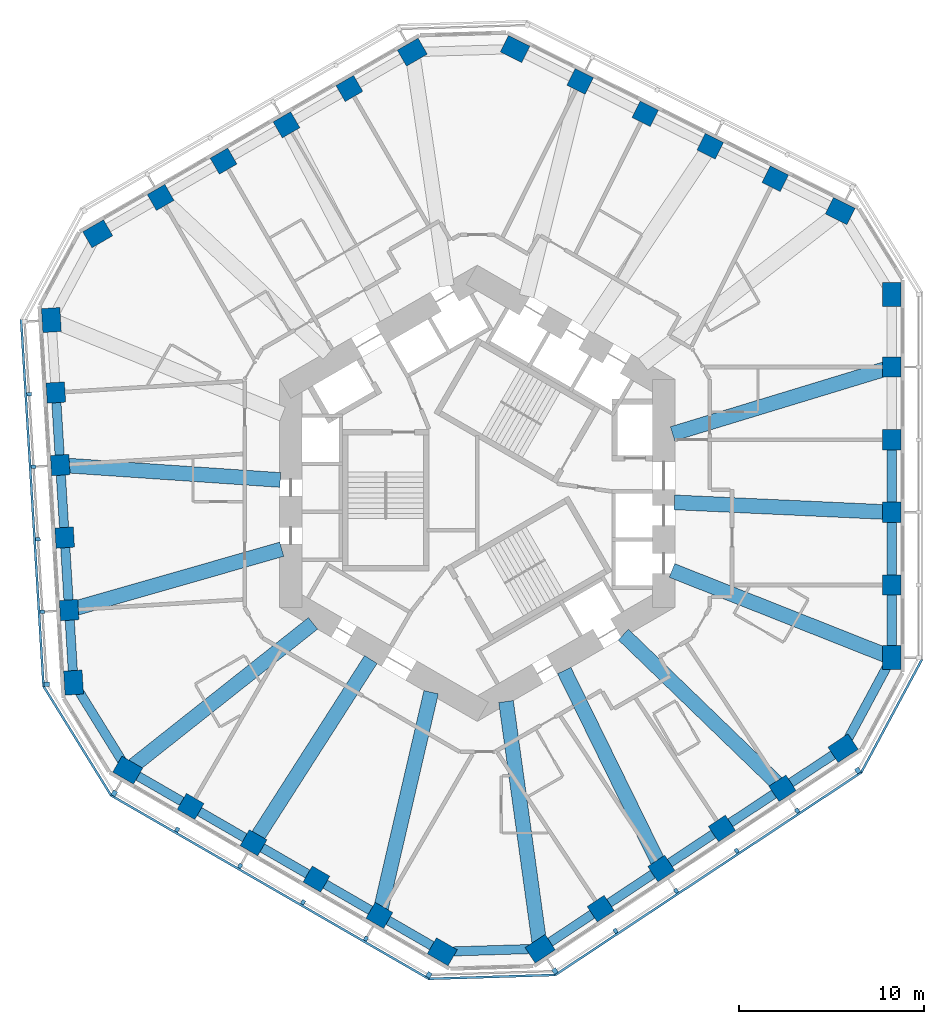
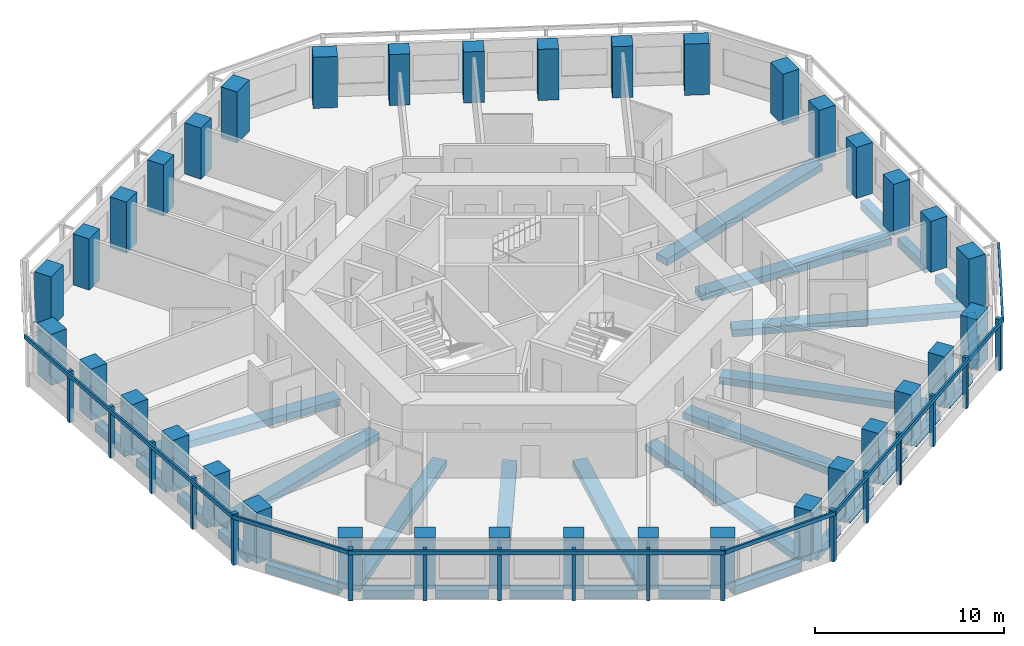
# One storey, part 1 of 12: 36 columns, 31 beams, 23 members, 6 elements without a shape of their own.
"""IFC4 building model written with IfcOpenShell, lengths in metres."""

from ifc_helpers import new_model, si_unit, direction, frame, origin, origin_2d, place, context, subcontext, project, spatial, rectangle, extrude, material, material_profile, profile_set, type_object, element, aggregate, save


model = new_model("IFC4")

# Units and contexts
model_context = context("Model", 3, precision=1e-05, world=origin(), true_north=direction((0.0, 1.0)))
body_context = subcontext(model_context, "Body", "Model", "MODEL_VIEW")
ifc_project = project(units=[si_unit("LENGTHUNIT", "METRE"), si_unit("AREAUNIT", "SQUARE_METRE"), si_unit("VOLUMEUNIT", "CUBIC_METRE"), si_unit("PLANEANGLEUNIT", "RADIAN"), si_unit("MASSUNIT", "GRAM", prefix="KILO")], contexts=[model_context])

# Site, building, storey
site_placement = place(None, origin())
site = spatial("IfcSite", under=ifc_project, at=site_placement, CompositionType="ELEMENT")
building_placement = place(site_placement, origin())
building = spatial("IfcBuilding", under=site, at=building_placement, Name="Vanh Sen Convention Tower", CompositionType="ELEMENT")
storey_placement = place(building_placement, frame((0.0, 0.0, 116.60009765625)))
storey = spatial("IfcBuildingStorey", under=building, at=storey_placement, Name="L28", CompositionType="ELEMENT", Elevation=116.60009765625)

# Columns
ifc_material_1 = material(Name="Concrete C80/95", Category="concrete")
ifc_material_profile_1 = material_profile(ifc_material_1, rectangle(XDim=1.10009765625, YDim=1.0, at=origin_2d()), Name="RC 1100X1000")
ifc_profile_set_1 = profile_set([ifc_material_profile_1], Name="Concrete C80/95")
column_type_1 = type_object("IfcColumnType", Name="Facade column 1100 x 1000 C80/95", PredefinedType="COLUMN", material=ifc_profile_set_1)
for number, where, z_axis, x_axis, name in (
    (1, (22.449951171875, -4.964599609375, 0.0), (0.0, 0.0, 1.0), (0.0, 1.0, 0.0), "Facade column 02 L28"),
    (2, (22.449951171875, -1.030029296875, 0.0), (0.0, 0.0, 1.0), (0.0, 1.0, 0.0), "Facade column 03 L28"),
    (3, (22.449951171875, 2.904541015625, 0.0), (0.0, 0.0, 1.0), (0.0, 1.0, 0.0), "Facade column 04 L28"),
    (4, (22.449951171875, 6.839111328125, 0.0), (0.0, 0.0, 1.0), (0.0, 1.0, 0.0), "Facade column 05 L28"),
    (5, (16.1376953125, 17.039794921875, 0.0), (0.0, 0.0, 1.0), (-0.894934361602, 0.44619781311, 0.0), "Facade column 08 L28"),
    (6, (12.616455078125, 18.79541015625, 0.0), (0.0, 0.0, 1.0), (-0.894934361602, 0.44619781311, 0.0), "Facade column 09 L28"),
    (7, (9.09521484375, 20.55078125, 0.0), (0.0, 0.0, 1.0), (-0.894934361602, 0.44619781311, 0.0), "Facade column 10 L28"),
    (8, (5.57421875, 22.306396484375, 0.0), (0.0, 0.0, 1.0), (-0.894934361602, 0.44619781311, 0.0), "Facade column 11 L28"),
    (9, (-6.925537109375, 21.924560546875, 0.0), (0.0, 0.0, 1.0), (-0.866025403784, -0.5, 0.0), "Facade column 14 L28"),
    (10, (-10.3330078125, 19.957275390625, 0.0), (0.0, 0.0, 1.0), (-0.866025403784, -0.5, 0.0), "Facade column 15 L28"),
    (11, (-13.740478515625, 17.989990234375, 0.0), (0.0, 0.0, 1.0), (-0.866025403784, -0.5, 0.0), "Facade column 16 L28"),
    (12, (-17.14794921875, 16.022705078125, 0.0), (0.0, 0.0, 1.0), (-0.866025403784, -0.5, 0.0), "Facade column 17 L28"),
    (13, (-22.82568359375, 5.455810546875, 0.0), (0.0, 0.0, 1.0), (0.061048539535, -0.998134798422, 0.0), "Facade column 20 L28"),
    (14, (-22.58544921875, 1.528564453125, 0.0), (0.0, 0.0, 1.0), (0.061048539535, -0.998134798422, 0.0), "Facade column 21 L28"),
    (15, (-22.34521484375, -2.398681640625, 0.0), (0.0, 0.0, 1.0), (0.061048539535, -0.998134798422, 0.0), "Facade column 22 L28"),
    (16, (-22.10498046875, -6.325927734375, 0.0), (0.0, 0.0, 1.0), (0.061048539535, -0.998134798422, 0.0), "Facade column 23 L28"),
    (17, (-15.5244140625, -16.9599609375, 0.0), (0.0, 0.0, 1.0), (0.866025403784, -0.5, 0.0), "Facade column 26 L28"),
    (18, (-12.1171875, -18.92724609375, 0.0), (0.0, 0.0, 1.0), (0.866025403784, -0.5, 0.0), "Facade column 27 L28"),
    (19, (-8.709716796875, -20.89453125, 0.0), (0.0, 0.0, 1.0), (0.866025403784, -0.5, 0.0), "Facade column 28 L28"),
    (20, (-5.302001953125, -22.86181640625, 0.0), (0.0, 0.0, 1.0), (0.866025403784, -0.5, 0.0), "Facade column 29 L28"),
    (21, (6.68798828125, -22.49560546875, 0.0), (0.0, 0.0, 1.0), (0.833885822067, 0.551936985312, 0.0), "Facade column 32 L28"),
    (22, (9.968994140625, -20.323974609375, 0.0), (0.0, 0.0, 1.0), (0.833885822067, 0.551936985312, 0.0), "Facade column 33 L28"),
    (23, (13.25, -18.152099609375, 0.0), (0.0, 0.0, 1.0), (0.833885822067, 0.551936985312, 0.0), "Facade column 34 L28"),
    (24, (16.531005859375, -15.980712890625, 0.0), (0.0, 0.0, 1.0), (0.833885822067, 0.551936985312, 0.0), "Facade column 35 L28"),
):
    element("IfcColumn", number, at=place(storey_placement, frame(where, z_axis=z_axis, x_axis=x_axis)), inside=storey, type_object=column_type_1, Name=name, PredefinedType="COLUMN", context=body_context, shape_type="SweptSolid", body=[
        extrude(rectangle(XDim=1.10009765625, YDim=1.0, at=origin_2d()), origin(), (0.0, 0.0, 1.0), 3.2998046875),
    ])
ifc_material_profile_2 = material_profile(ifc_material_1, rectangle(XDim=1.300048828125, YDim=1.0, at=origin_2d()), Name="RC 1300X1000")
ifc_profile_set_2 = profile_set([ifc_material_profile_2], Name="Concrete C80/95")
column_type_2 = type_object("IfcColumnType", Name="Facade corner column 1300 x 1000 C80/95", PredefinedType="COLUMN", material=ifc_profile_set_2)
for number, where, z_axis, x_axis, name in (
    (25, (22.449951171875, -8.899169921875, 0.0), (0.0, 0.0, 1.0), (0.0, 1.0, 0.0), "Facade column 01 L28"),
    (26, (22.449951171875, 10.773681640625, 0.0), (0.0, 0.0, 1.0), (0.0, 1.0, 0.0), "Facade column 06 L28"),
    (27, (19.658935546875, 15.2841796875, 0.0), (0.0, 0.0, 1.0), (-0.894934361602, 0.44619781311, 0.0), "Facade column 07 L28"),
    (28, (2.052978515625, 24.06201171875, 0.0), (0.0, 0.0, 1.0), (-0.894934361602, 0.44619781311, 0.0), "Facade column 12 L28"),
    (29, (-3.51806640625, 23.891845703125, 0.0), (0.0, 0.0, 1.0), (-0.866025403784, -0.5, 0.0), "Facade column 13 L28"),
    (30, (-20.555419921875, 14.055419921875, 0.0), (0.0, 0.0, 1.0), (-0.866025403784, -0.5, 0.0), "Facade column 18 L28"),
    (31, (-23.06591796875, 9.383056640625, 0.0), (0.0, 0.0, 1.0), (0.061048539535, -0.998134798422, 0.0), "Facade column 19 L28"),
    (32, (-21.86474609375, -10.253173828125, 0.0), (0.0, 0.0, 1.0), (0.061048539535, -0.998134798422, 0.0), "Facade column 24 L28"),
    (33, (-18.931884765625, -14.99267578125, 0.0), (0.0, 0.0, 1.0), (0.866025403784, -0.5, 0.0), "Facade column 25 L28"),
    (34, (-1.894775390625, -24.8291015625, 0.0), (0.0, 0.0, 1.0), (0.866025403784, -0.5, 0.0), "Facade column 30 L28"),
    (35, (3.406982421875, -24.6669921875, 0.0), (0.0, 0.0, 1.0), (0.833885822067, 0.551936985312, 0.0), "Facade column 31 L28"),
    (36, (19.81201171875, -13.808837890625, 0.0), (0.0, 0.0, 1.0), (0.833885822067, 0.551936985312, 0.0), "Facade column 36 L28"),
):
    element("IfcColumn", number, at=place(storey_placement, frame(where, z_axis=z_axis, x_axis=x_axis)), inside=storey, type_object=column_type_2, Name=name, PredefinedType="COLUMN", context=body_context, shape_type="SweptSolid", body=[
        extrude(rectangle(XDim=1.300048828125, YDim=1.0, at=origin_2d()), origin(), (0.0, 0.0, 1.0), 3.2998046875),
    ])

# Curtain wall, member
ifc_material_2 = material(Name="Concrete C50/60", Category="concrete")
curtain_wall_type = type_object("IfcCurtainWallType", Name="Outer skin hotel zone", PredefinedType="NOTDEFINED", material=ifc_material_2)
curtain_wall_1_placement = place(storey_placement, origin())
curtain_wall_1 = element("IfcCurtainWall", 37, at=curtain_wall_1_placement, inside=storey, type_object=curtain_wall_type, Name="OUTER SKIN W L28", PredefinedType="NOTDEFINED")
ifc_material_profile_3 = material_profile(ifc_material_2, rectangle(XDim=0.25, YDim=0.300048828125, at=origin_2d()), Name="Outer skin precast corner fin 250 x 300")
ifc_profile_set_3 = profile_set([ifc_material_profile_3], Name="Concrete C50/60")
member_type_1 = type_object("IfcMemberType", Name="Outer skin precast corner fin 250 x 300", PredefinedType="MULLION", material=ifc_profile_set_3)
member_1_placement = place(storey_placement, frame((-23.31201171875, -10.341796875, 0.0), z_axis=(0.0, 0.0, 1.0), x_axis=(0.061048539535, -0.998134798422, 0.0)))
member_1 = element("IfcMember", 38, at=member_1_placement, type_object=member_type_1, Name="OUTER SKIN CORNER FIN 6 W L28", PredefinedType="MULLION", context=body_context, shape_type="SweptSolid", body=[
    extrude(rectangle(XDim=0.25, YDim=0.300048828125, at=origin_2d()), origin(), (0.0, 0.0, 1.0), 3.2998046875),
])

# Curtain wall, members
curtain_wall_2_placement = place(storey_placement, origin())
curtain_wall_2 = element("IfcCurtainWall", 39, at=curtain_wall_2_placement, inside=storey, type_object=curtain_wall_type, Name="OUTER SKIN SW L28", PredefinedType="NOTDEFINED")
member_2_placement = place(storey_placement, frame((-19.656982421875, -16.248291015625, 0.0), z_axis=(0.0, 0.0, 1.0), x_axis=(0.866025403784, -0.5, 0.0)))
member_2 = element("IfcMember", 40, at=member_2_placement, type_object=member_type_1, Name="OUTER SKIN CORNER FIN 1 SW L28", PredefinedType="MULLION", context=body_context, shape_type="SweptSolid", body=[
    extrude(rectangle(XDim=0.25, YDim=0.300048828125, at=origin_2d()), origin(), (0.0, 0.0, 1.0), 3.2998046875),
])
member_3_placement = place(storey_placement, frame((-2.61962890625, -26.084716796875, 0.0), z_axis=(0.0, 0.0, 1.0), x_axis=(0.866025403784, -0.5, 0.0)))
member_3 = element("IfcMember", 41, at=member_3_placement, type_object=member_type_1, Name="OUTER SKIN CORNER FIN 6 SW L28", PredefinedType="MULLION", context=body_context, shape_type="SweptSolid", body=[
    extrude(rectangle(XDim=0.25, YDim=0.300048828125, at=origin_2d()), origin(), (0.0, 0.0, 1.0), 3.2998046875),
])

curtain_wall_3_placement = place(storey_placement, origin())
curtain_wall_3 = element("IfcCurtainWall", 42, at=curtain_wall_3_placement, inside=storey, type_object=curtain_wall_type, Name="OUTER SKIN SE L28", PredefinedType="NOTDEFINED")
member_4_placement = place(storey_placement, frame((4.207275390625, -25.876220703125, 0.0), z_axis=(0.0, 0.0, 1.0), x_axis=(0.833885822067, 0.551936985312, 0.0)))
member_4 = element("IfcMember", 43, at=member_4_placement, type_object=member_type_1, Name="OUTER SKIN CORNER FIN 1 SE L28", PredefinedType="MULLION", context=body_context, shape_type="SweptSolid", body=[
    extrude(rectangle(XDim=0.25, YDim=0.300048828125, at=origin_2d()), origin(), (0.0, 0.0, 1.0), 3.2998046875),
])
member_5_placement = place(storey_placement, frame((20.6123046875, -15.01806640625, 0.0), z_axis=(0.0, 0.0, 1.0), x_axis=(0.833885822067, 0.551936985312, 0.0)))
member_5 = element("IfcMember", 44, at=member_5_placement, type_object=member_type_1, Name="OUTER SKIN CORNER FIN 6 SE L28", PredefinedType="MULLION", context=body_context, shape_type="SweptSolid", body=[
    extrude(rectangle(XDim=0.25, YDim=0.300048828125, at=origin_2d()), origin(), (0.0, 0.0, 1.0), 3.2998046875),
])

# Member
ifc_material_profile_4 = material_profile(ifc_material_2, rectangle(XDim=0.199951171875, YDim=0.25, at=origin_2d()), Name="Outer skin precast fin 200 x 250")
ifc_profile_set_4 = profile_set([ifc_material_profile_4], Name="Concrete C50/60")
member_type_2 = type_object("IfcMemberType", Name="Outer skin precast fin 200 x 250", PredefinedType="MULLION", material=ifc_profile_set_4)
member_6_placement = place(storey_placement, frame((-24.27294921875, 5.3671875, 0.0), z_axis=(0.0, 0.0, 1.0), x_axis=(0.061048539535, -0.998134798422, 0.0)))
member_6 = element("IfcMember", 45, at=member_6_placement, type_object=member_type_2, Name="OUTER SKIN fin 2 W L28", PredefinedType="MULLION", context=body_context, shape_type="SweptSolid", body=[
    extrude(rectangle(XDim=0.199951171875, YDim=0.25, at=origin_2d()), origin(), (0.0, 0.0, 1.0), 3.2998046875),
])

member_7_placement = place(storey_placement, frame((-24.03271484375, 1.440185546875, 0.0), z_axis=(0.0, 0.0, 1.0), x_axis=(0.061048539535, -0.998134798422, 0.0)))
member_7 = element("IfcMember", 46, at=member_7_placement, type_object=member_type_2, Name="OUTER SKIN fin 3 W L28", PredefinedType="MULLION", context=body_context, shape_type="SweptSolid", body=[
    extrude(rectangle(XDim=0.199951171875, YDim=0.25, at=origin_2d()), origin(), (0.0, 0.0, 1.0), 3.2998046875),
])

member_8_placement = place(storey_placement, frame((-23.79248046875, -2.4873046875, 0.0), z_axis=(0.0, 0.0, 1.0), x_axis=(0.061048539535, -0.998134798422, 0.0)))
member_8 = element("IfcMember", 47, at=member_8_placement, type_object=member_type_2, Name="OUTER SKIN fin 4 W L28", PredefinedType="MULLION", context=body_context, shape_type="SweptSolid", body=[
    extrude(rectangle(XDim=0.199951171875, YDim=0.25, at=origin_2d()), origin(), (0.0, 0.0, 1.0), 3.2998046875),
])

member_9_placement = place(storey_placement, frame((-23.55224609375, -6.414306640625, 0.0), z_axis=(0.0, 0.0, 1.0), x_axis=(0.061048539535, -0.998134798422, 0.0)))
member_9 = element("IfcMember", 48, at=member_9_placement, type_object=member_type_2, Name="OUTER SKIN fin 5 W L28", PredefinedType="MULLION", context=body_context, shape_type="SweptSolid", body=[
    extrude(rectangle(XDim=0.199951171875, YDim=0.25, at=origin_2d()), origin(), (0.0, 0.0, 1.0), 3.2998046875),
])

member_10_placement = place(storey_placement, frame((-16.24951171875, -18.2158203125, 0.0), z_axis=(0.0, 0.0, 1.0), x_axis=(0.866025403784, -0.5, 0.0)))
member_10 = element("IfcMember", 49, at=member_10_placement, type_object=member_type_2, Name="OUTER SKIN fin 2 SW L28", PredefinedType="MULLION", context=body_context, shape_type="SweptSolid", body=[
    extrude(rectangle(XDim=0.199951171875, YDim=0.25, at=origin_2d()), origin(), (0.0, 0.0, 1.0), 3.2998046875),
])

member_11_placement = place(storey_placement, frame((-12.842041015625, -20.182861328125, 0.0), z_axis=(0.0, 0.0, 1.0), x_axis=(0.866025403784, -0.5, 0.0)))
member_11 = element("IfcMember", 50, at=member_11_placement, type_object=member_type_2, Name="OUTER SKIN fin 3 SW L28", PredefinedType="MULLION", context=body_context, shape_type="SweptSolid", body=[
    extrude(rectangle(XDim=0.199951171875, YDim=0.25, at=origin_2d()), origin(), (0.0, 0.0, 1.0), 3.2998046875),
])

member_12_placement = place(storey_placement, frame((-9.4345703125, -22.150146484375, 0.0), z_axis=(0.0, 0.0, 1.0), x_axis=(0.866025403784, -0.5, 0.0)))
member_12 = element("IfcMember", 51, at=member_12_placement, type_object=member_type_2, Name="OUTER SKIN fin 4 SW L28", PredefinedType="MULLION", context=body_context, shape_type="SweptSolid", body=[
    extrude(rectangle(XDim=0.199951171875, YDim=0.25, at=origin_2d()), origin(), (0.0, 0.0, 1.0), 3.2998046875),
])

member_13_placement = place(storey_placement, frame((-6.027099609375, -24.117431640625, 0.0), z_axis=(0.0, 0.0, 1.0), x_axis=(0.866025403784, -0.5, 0.0)))
member_13 = element("IfcMember", 52, at=member_13_placement, type_object=member_type_2, Name="OUTER SKIN fin 5 SW L28", PredefinedType="MULLION", context=body_context, shape_type="SweptSolid", body=[
    extrude(rectangle(XDim=0.199951171875, YDim=0.25, at=origin_2d()), origin(), (0.0, 0.0, 1.0), 3.2998046875),
])

member_14_placement = place(storey_placement, frame((7.48828125, -23.70458984375, 0.0), z_axis=(0.0, 0.0, 1.0), x_axis=(0.833885822067, 0.551936985312, 0.0)))
member_14 = element("IfcMember", 53, at=member_14_placement, type_object=member_type_2, Name="OUTER SKIN fin 2 SE L28", PredefinedType="MULLION", context=body_context, shape_type="SweptSolid", body=[
    extrude(rectangle(XDim=0.199951171875, YDim=0.25, at=origin_2d()), origin(), (0.0, 0.0, 1.0), 3.2998046875),
])

member_15_placement = place(storey_placement, frame((10.769287109375, -21.532958984375, 0.0), z_axis=(0.0, 0.0, 1.0), x_axis=(0.833885822067, 0.551936985312, 0.0)))
member_15 = element("IfcMember", 54, at=member_15_placement, type_object=member_type_2, Name="OUTER SKIN fin 3 SE L28", PredefinedType="MULLION", context=body_context, shape_type="SweptSolid", body=[
    extrude(rectangle(XDim=0.199951171875, YDim=0.25, at=origin_2d()), origin(), (0.0, 0.0, 1.0), 3.2998046875),
])

member_16_placement = place(storey_placement, frame((14.05029296875, -19.361328125, 0.0), z_axis=(0.0, 0.0, 1.0), x_axis=(0.833885822067, 0.551936985312, 0.0)))
member_16 = element("IfcMember", 55, at=member_16_placement, type_object=member_type_2, Name="OUTER SKIN fin 4 SE L28", PredefinedType="MULLION", context=body_context, shape_type="SweptSolid", body=[
    extrude(rectangle(XDim=0.199951171875, YDim=0.25, at=origin_2d()), origin(), (0.0, 0.0, 1.0), 3.2998046875),
])

member_17_placement = place(storey_placement, frame((17.331298828125, -17.189697265625, 0.0), z_axis=(0.0, 0.0, 1.0), x_axis=(0.833885822067, 0.551936985312, 0.0)))
member_17 = element("IfcMember", 56, at=member_17_placement, type_object=member_type_2, Name="OUTER SKIN fin 5 SE L28", PredefinedType="MULLION", context=body_context, shape_type="SweptSolid", body=[
    extrude(rectangle(XDim=0.199951171875, YDim=0.25, at=origin_2d()), origin(), (0.0, 0.0, 1.0), 3.2998046875),
])

ifc_material_profile_5 = material_profile(ifc_material_2, rectangle(XDim=0.1201171875, YDim=0.25, at=origin_2d()), Name="Outer skin precast spandrel band 250 x 120")
ifc_profile_set_5 = profile_set([ifc_material_profile_5], Name="Concrete C50/60")
member_type_3 = type_object("IfcMemberType", Name="Outer skin precast spandrel band 250 x 120", PredefinedType="USERDEFINED", material=ifc_profile_set_5)
member_18_placement = place(storey_placement, frame((-24.705322265625, 9.408203125, 3.1748046875), z_axis=(0.061050017989, -0.998134707995, 0.0), x_axis=(0.998134707995, 0.061050017989, 0.0)))
member_18 = element("IfcMember", 57, at=member_18_placement, type_object=member_type_3, Name="OUTER SKIN spandrel band W L28", ObjectType="TRANSOM", PredefinedType="USERDEFINED", context=body_context, shape_type="SweptSolid", body=[
    extrude(rectangle(XDim=0.1201171875, YDim=0.25, at=origin_2d()), origin(), (0.0, 0.0, 1.0), 19.923095703125),
])

aggregate(curtain_wall_1, [member_6, member_7, member_8, member_9, member_1, member_18])

# Curtain wall, member
curtain_wall_4_placement = place(storey_placement, origin())
curtain_wall_4 = element("IfcCurtainWall", 58, at=curtain_wall_4_placement, inside=storey, type_object=curtain_wall_type, Name="OUTER SKIN CH4 L28", PredefinedType="NOTDEFINED")
member_19_placement = place(storey_placement, frame((-23.49072265625, -10.4521484375, 3.1748046875), z_axis=(0.526196095141, -0.850363257354, 0.0), x_axis=(0.850363257354, 0.526196095141, 0.0)))
member_19 = element("IfcMember", 59, at=member_19_placement, type_object=member_type_3, Name="OUTER SKIN spandrel band CH4 L28", ObjectType="TRANSOM", PredefinedType="USERDEFINED", context=body_context, shape_type="SweptSolid", body=[
    extrude(rectangle(XDim=0.1201171875, YDim=0.25, at=origin_2d()), origin(), (0.0, 0.0, 1.0), 6.946044921875),
])
aggregate(curtain_wall_4, [member_19])

# Member
member_20_placement = place(storey_placement, frame((-19.85791015625, -16.34619140625, 3.1748046875), z_axis=(0.866028047459, -0.499995420993, 0.0), x_axis=(0.499995420993, 0.866028047459, 0.0)))
member_20 = element("IfcMember", 60, at=member_20_placement, type_object=member_type_3, Name="OUTER SKIN spandrel band SW L28", ObjectType="TRANSOM", PredefinedType="USERDEFINED", context=body_context, shape_type="SweptSolid", body=[
    extrude(rectangle(XDim=0.1201171875, YDim=0.25, at=origin_2d()), origin(), (0.0, 0.0, 1.0), 19.923095703125),
])

aggregate(curtain_wall_2, [member_2, member_10, member_11, member_12, member_13, member_3, member_20])

# Curtain wall, member
curtain_wall_5_placement = place(storey_placement, origin())
curtain_wall_5 = element("IfcCurtainWall", 61, at=curtain_wall_5_placement, inside=storey, type_object=curtain_wall_type, Name="OUTER SKIN CH5 L28", PredefinedType="NOTDEFINED")
member_21_placement = place(storey_placement, frame((-2.61328125, -26.294677734375, 3.1748046875), z_axis=(0.99953396928, 0.030526124156, 0.0), x_axis=(-0.030526124156, 0.99953396928, 0.0)))
member_21 = element("IfcMember", 62, at=member_21_placement, type_object=member_type_3, Name="OUTER SKIN spandrel band CH5 L28", ObjectType="TRANSOM", PredefinedType="USERDEFINED", context=body_context, shape_type="SweptSolid", body=[
    extrude(rectangle(XDim=0.1201171875, YDim=0.25, at=origin_2d()), origin(), (0.0, 0.0, 1.0), 6.830078125),
])
aggregate(curtain_wall_5, [member_21])

# Member
member_22_placement = place(storey_placement, frame((4.205078125, -26.099609375, 3.1748046875), z_axis=(0.833883851182, 0.551939962984, 0.0), x_axis=(-0.551939962984, 0.833883851182, 0.0)))
member_22 = element("IfcMember", 63, at=member_22_placement, type_object=member_type_3, Name="OUTER SKIN spandrel band SE L28", ObjectType="TRANSOM", PredefinedType="USERDEFINED", context=body_context, shape_type="SweptSolid", body=[
    extrude(rectangle(XDim=0.1201171875, YDim=0.25, at=origin_2d()), origin(), (0.0, 0.0, 1.0), 19.923095703125),
])

aggregate(curtain_wall_3, [member_4, member_14, member_15, member_16, member_17, member_5, member_22])

# Curtain wall, member
curtain_wall_6_placement = place(storey_placement, origin())
curtain_wall_6 = element("IfcCurtainWall", 64, at=curtain_wall_6_placement, inside=storey, type_object=curtain_wall_type, Name="OUTER SKIN CH6 L28", PredefinedType="NOTDEFINED")
member_23_placement = place(storey_placement, frame((20.797119140625, -15.117431640625, 3.1748046875), z_axis=(0.473324148816, 0.880888330123, 0.0), x_axis=(-0.880888330123, 0.473324148816, 0.0)))
member_23 = element("IfcMember", 65, at=member_23_placement, type_object=member_type_3, Name="OUTER SKIN spandrel band CH6 L28", ObjectType="TRANSOM", PredefinedType="USERDEFINED", context=body_context, shape_type="SweptSolid", body=[
    extrude(rectangle(XDim=0.1201171875, YDim=0.25, at=origin_2d()), origin(), (0.0, 0.0, 1.0), 6.9462890625),
])
aggregate(curtain_wall_6, [member_23])

# Beams
ifc_material_3 = material(Name="Concrete C50/60", Category="concrete")
ifc_material_profile_6 = material_profile(ifc_material_3, rectangle(XDim=0.800048828125, YDim=0.449951171875, at=origin_2d()), Name="RC 800X450")
ifc_profile_set_6 = profile_set([ifc_material_profile_6], Name="Concrete C50/60")
beam_type_1 = type_object("IfcBeamType", Name="Radial floor beam 800 x 450", PredefinedType="BEAM", material=ifc_profile_set_6)
beam_1_placement = place(storey_placement, frame((22.10205078125, -8.76123046875, -0.47509765625), z_axis=(-0.929623737454, 0.368510117584, 0.0), x_axis=(-0.368510117584, -0.929623737454, 0.0)))
element("IfcBeam", 66, at=beam_1_placement, inside=storey, type_object=beam_type_1, Name="Radial beam 01 L28", PredefinedType="BEAM", context=body_context, shape_type="SweptSolid", body=[
    extrude(rectangle(XDim=0.800048828125, YDim=0.449951171875, at=origin_2d()), origin(), (0.0, 0.0, 1.0), 12.4287109375),
])
beam_2_placement = place(storey_placement, frame((21.973388671875, -1.00830078125, -0.47509765625), z_axis=(-0.998949085964, 0.045833651953, 0.0), x_axis=(-0.045833651953, -0.998949085964, 0.0)))
element("IfcBeam", 67, at=beam_2_placement, inside=storey, type_object=beam_type_1, Name="Radial beam 02 L28", PredefinedType="BEAM", context=body_context, shape_type="SweptSolid", body=[
    extrude(rectangle(XDim=0.800048828125, YDim=0.449951171875, at=origin_2d()), origin(), (0.0, 0.0, 1.0), 11.30859375),
])
beam_3_placement = place(storey_placement, frame((22.0712890625, 6.7236328125, -0.47509765625), z_axis=(-0.956599525752, -0.29140581211, 0.0), x_axis=(0.29140581211, -0.956599525752, 0.0)))
element("IfcBeam", 68, at=beam_3_placement, inside=storey, type_object=beam_type_1, Name="Radial beam 03 L28", PredefinedType="BEAM", context=body_context, shape_type="SweptSolid", body=[
    extrude(rectangle(XDim=0.800048828125, YDim=0.449951171875, at=origin_2d()), origin(), (0.0, 0.0, 1.0), 12.01416015625),
])
beam_4_placement = place(storey_placement, frame((-22.138916015625, 1.498291015625, -0.47509765625), z_axis=(0.997717468066, -0.0675266904, 0.0), x_axis=(0.0675266904, 0.997717468066, 0.0)))
element("IfcBeam", 69, at=beam_4_placement, inside=storey, type_object=beam_type_1, Name="Radial beam 11 L28", PredefinedType="BEAM", context=body_context, shape_type="SweptSolid", body=[
    extrude(rectangle(XDim=0.800048828125, YDim=0.449951171875, at=origin_2d()), origin(), (0.0, 0.0, 1.0), 11.4970703125),
])
beam_5_placement = place(storey_placement, frame((-21.70263671875, -6.210693359375, -0.47509765625), z_axis=(0.96140993594, 0.275119855837, 0.0), x_axis=(-0.275119855837, 0.96140993594, 0.0)))
element("IfcBeam", 70, at=beam_5_placement, inside=storey, type_object=beam_type_1, Name="Radial beam 12 L28", PredefinedType="BEAM", context=body_context, shape_type="SweptSolid", body=[
    extrude(rectangle(XDim=0.800048828125, YDim=0.449951171875, at=origin_2d()), origin(), (0.0, 0.0, 1.0), 11.563720703125),
])
beam_6_placement = place(storey_placement, frame((-18.638671875, -14.76025390625, -0.47509765625), z_axis=(0.78395420425, 0.620818657612, 0.0), x_axis=(-0.620818657612, 0.78395420425, 0.0)))
element("IfcBeam", 71, at=beam_6_placement, inside=storey, type_object=beam_type_1, Name="Radial beam 13 L28", PredefinedType="BEAM", context=body_context, shape_type="SweptSolid", body=[
    extrude(rectangle(XDim=0.800048828125, YDim=0.449951171875, at=origin_2d()), origin(), (0.0, 0.0, 1.0), 12.428955078125),
])
beam_7_placement = place(storey_placement, frame((-11.85986328125, -18.525390625, -0.47509765625), z_axis=(0.539160288654, 0.842203172126, 0.0), x_axis=(-0.842203172126, 0.539160288654, 0.0)))
element("IfcBeam", 72, at=beam_7_placement, inside=storey, type_object=beam_type_1, Name="Radial beam 14 L28", PredefinedType="BEAM", context=body_context, shape_type="SweptSolid", body=[
    extrude(rectangle(XDim=0.800048828125, YDim=0.449951171875, at=origin_2d()), origin(), (0.0, 0.0, 1.0), 11.30859375),
])
beam_8_placement = place(storey_placement, frame((-5.212646484375, -22.476318359375, -0.47509765625), z_axis=(0.225927931957, 0.974144018902, 0.0), x_axis=(-0.974144018902, 0.225927931957, 0.0)))
element("IfcBeam", 73, at=beam_8_placement, inside=storey, type_object=beam_type_1, Name="Radial beam 15 L28", PredefinedType="BEAM", context=body_context, shape_type="SweptSolid", body=[
    extrude(rectangle(XDim=0.800048828125, YDim=0.449951171875, at=origin_2d()), origin(), (0.0, 0.0, 1.0), 12.01416015625),
])
beam_9_placement = place(storey_placement, frame((3.35791015625, -24.312744140625, -0.47509765625), z_axis=(-0.136801873088, 0.990598428991, 0.0), x_axis=(-0.990598428991, -0.136801873088, 0.0)))
element("IfcBeam", 74, at=beam_9_placement, inside=storey, type_object=beam_type_1, Name="Radial beam 16 L28", PredefinedType="BEAM", context=body_context, shape_type="SweptSolid", body=[
    extrude(rectangle(XDim=0.800048828125, YDim=0.449951171875, at=origin_2d()), origin(), (0.0, 0.0, 1.0), 13.159912109375),
])
beam_10_placement = place(storey_placement, frame((9.77197265625, -19.922119140625, -0.47509765625), z_axis=(-0.440388501121, 0.89780731122, 0.0), x_axis=(-0.89780731122, -0.440388501121, 0.0)))
element("IfcBeam", 75, at=beam_10_placement, inside=storey, type_object=beam_type_1, Name="Radial beam 17 L28", PredefinedType="BEAM", context=body_context, shape_type="SweptSolid", body=[
    extrude(rectangle(XDim=0.800048828125, YDim=0.449951171875, at=origin_2d()), origin(), (0.0, 0.0, 1.0), 11.497314453125),
])
beam_11_placement = place(storey_placement, frame((16.22998046875, -15.689697265625, -0.47509765625), z_axis=(-0.718965868582, 0.695045379679, 0.0), x_axis=(-0.695045379679, -0.718965868582, 0.0)))
element("IfcBeam", 76, at=beam_11_placement, inside=storey, type_object=beam_type_1, Name="Radial beam 18 L28", PredefinedType="BEAM", context=body_context, shape_type="SweptSolid", body=[
    extrude(rectangle(XDim=0.800048828125, YDim=0.449951171875, at=origin_2d()), origin(), (0.0, 0.0, 1.0), 11.563720703125),
])
ifc_material_profile_7 = material_profile(ifc_material_3, rectangle(XDim=0.5, YDim=0.550048828125, at=origin_2d()), Name="RC 500X550")
ifc_profile_set_7 = profile_set([ifc_material_profile_7], Name="Concrete C50/60")
beam_type_2 = type_object("IfcBeamType", Name="Spandrel beam 500 x 550", PredefinedType="SPANDREL", material=ifc_profile_set_7)
beam_12_placement = place(storey_placement, frame((22.449951171875, -8.254150390625, -0.525146484375), z_axis=(0.0, 1.0, 0.0), x_axis=(-1.0, 0.0, 0.0)))
element("IfcBeam", 77, at=beam_12_placement, inside=storey, type_object=beam_type_2, Name="Spandrel beam 01 L28", PredefinedType="SPANDREL", context=body_context, shape_type="SweptSolid", body=[
    extrude(rectangle(XDim=0.5, YDim=0.550048828125, at=origin_2d()), origin(), (0.0, 0.0, 1.0), 2.74462890625),
])
beam_13_placement = place(storey_placement, frame((22.449951171875, -4.419677734375, -0.525146484375), z_axis=(0.0, 1.0, 0.0), x_axis=(-1.0, 0.0, 0.0)))
element("IfcBeam", 78, at=beam_13_placement, inside=storey, type_object=beam_type_2, Name="Spandrel beam 02 L28", PredefinedType="SPANDREL", context=body_context, shape_type="SweptSolid", body=[
    extrude(rectangle(XDim=0.5, YDim=0.550048828125, at=origin_2d()), origin(), (0.0, 0.0, 1.0), 2.844482421875),
])
for number, where, z_axis, x_axis, name in (
    (79, (22.449951171875, -0.485107421875, -0.525146484375), (0.0, 1.0, 0.0), (-1.0, 0.0, 0.0), "Spandrel beam 03 L28"),
    (80, (-22.792236328125, 4.911865234375, -0.525146484375), (0.061021069303, -0.998136478194, 0.0), (0.998136478194, 0.061021069303, 0.0), "Spandrel beam 20 L28"),
    (81, (-22.552001953125, 0.984619140625, -0.525146484375), (0.061021069303, -0.998136478194, 0.0), (0.998136478194, 0.061021069303, 0.0), "Spandrel beam 21 L28"),
    (82, (-22.31201171875, -2.942626953125, -0.525146484375), (0.061106573347, -0.998131247228, 0.0), (0.998131247228, 0.061106573347, 0.0), "Spandrel beam 22 L28"),
):
    element("IfcBeam", number, at=place(storey_placement, frame(where, z_axis=z_axis, x_axis=x_axis)), inside=storey, type_object=beam_type_2, Name=name, PredefinedType="SPANDREL", context=body_context, shape_type="SweptSolid", body=[
        extrude(rectangle(XDim=0.5, YDim=0.550048828125, at=origin_2d()), origin(), (0.0, 0.0, 1.0), 2.8447265625),
    ])
beam_14_placement = place(storey_placement, frame((-22.07177734375, -6.869873046875, -0.525146484375), z_axis=(0.061021442686, -0.998136455367, 0.0), x_axis=(0.998136455367, 0.061021442686, 0.0)))
element("IfcBeam", 83, at=beam_14_placement, inside=storey, type_object=beam_type_2, Name="Spandrel beam 23 L28", PredefinedType="SPANDREL", context=body_context, shape_type="SweptSolid", body=[
    extrude(rectangle(XDim=0.5, YDim=0.550048828125, at=origin_2d()), origin(), (0.0, 0.0, 1.0), 2.74462890625),
])
beam_15_placement = place(storey_placement, frame((-21.556396484375, -10.75146484375, -0.525146484375), z_axis=(0.526169375405, -0.850379790674, 0.0), x_axis=(0.850379790674, 0.526169375405, 0.0)))
element("IfcBeam", 84, at=beam_15_placement, inside=storey, type_object=beam_type_2, Name="Spandrel beam 24 L28", PredefinedType="SPANDREL", context=body_context, shape_type="SweptSolid", body=[
    extrude(rectangle(XDim=0.5, YDim=0.550048828125, at=origin_2d()), origin(), (0.0, 0.0, 1.0), 4.4013671875),
])
beam_16_placement = place(storey_placement, frame((-18.373291015625, -15.315185546875, -0.525146484375), z_axis=(0.866006330792, -0.500033033937, 0.0), x_axis=(0.500033033937, 0.866006330792, 0.0)))
element("IfcBeam", 85, at=beam_16_placement, inside=storey, type_object=beam_type_2, Name="Spandrel beam 25 L28", PredefinedType="SPANDREL", context=body_context, shape_type="SweptSolid", body=[
    extrude(rectangle(XDim=0.5, YDim=0.550048828125, at=origin_2d()), origin(), (0.0, 0.0, 1.0), 2.744384765625),
])
for number, where, z_axis, x_axis, name in (
    (86, (-15.052490234375, -17.232421875, -0.525146484375), (0.866005490874, -0.500034488586, 0.0), (0.500034488586, 0.866005490874, 0.0), "Spandrel beam 26 L28"),
    (87, (-11.64501953125, -19.19970703125, -0.525146484375), (0.866005490874, -0.500034488586, 0.0), (0.500034488586, 0.866005490874, 0.0), "Spandrel beam 27 L28"),
    (88, (-8.237548828125, -21.1669921875, -0.525146484375), (0.866005490874, -0.500034488586, 0.0), (0.500034488586, 0.866005490874, 0.0), "Spandrel beam 28 L28"),
):
    element("IfcBeam", number, at=place(storey_placement, frame(where, z_axis=z_axis, x_axis=x_axis)), inside=storey, type_object=beam_type_2, Name=name, PredefinedType="SPANDREL", context=body_context, shape_type="SweptSolid", body=[
        extrude(rectangle(XDim=0.5, YDim=0.550048828125, at=origin_2d()), origin(), (0.0, 0.0, 1.0), 2.844482421875),
    ])
beam_17_placement = place(storey_placement, frame((-4.830078125, -23.13427734375, -0.525146484375), z_axis=(0.866006330792, -0.500033033937, 0.0), x_axis=(0.500033033937, 0.866006330792, 0.0)))
element("IfcBeam", 89, at=beam_17_placement, inside=storey, type_object=beam_type_2, Name="Spandrel beam 29 L28", PredefinedType="SPANDREL", context=body_context, shape_type="SweptSolid", body=[
    extrude(rectangle(XDim=0.5, YDim=0.550048828125, at=origin_2d()), origin(), (0.0, 0.0, 1.0), 2.744384765625),
])
beam_18_placement = place(storey_placement, frame((-1.353759765625, -24.8125, -0.525146484375), z_axis=(0.999533721385, 0.030534240042, 0.0), x_axis=(-0.030534240042, 0.999533721385, 0.0)))
element("IfcBeam", 90, at=beam_18_placement, inside=storey, type_object=beam_type_2, Name="Spandrel beam 30 L28", PredefinedType="SPANDREL", context=body_context, shape_type="SweptSolid", body=[
    extrude(rectangle(XDim=0.5, YDim=0.550048828125, at=origin_2d()), origin(), (0.0, 0.0, 1.0), 4.2216796875),
])
beam_19_placement = place(storey_placement, frame((3.94482421875, -24.31103515625, -0.525146484375), z_axis=(0.833906917805, 0.551905111805, 0.0), x_axis=(-0.551905111805, 0.833906917805, 0.0)))
element("IfcBeam", 91, at=beam_19_placement, inside=storey, type_object=beam_type_2, Name="Spandrel beam 31 L28", PredefinedType="SPANDREL", context=body_context, shape_type="SweptSolid", body=[
    extrude(rectangle(XDim=0.5, YDim=0.550048828125, at=origin_2d()), origin(), (0.0, 0.0, 1.0), 2.744384765625),
])
beam_20_placement = place(storey_placement, frame((7.142333984375, -22.194580078125, -0.525146484375), z_axis=(0.833920587756, 0.551884456491, 0.0), x_axis=(-0.551884456491, 0.833920587756, 0.0)))
element("IfcBeam", 92, at=beam_20_placement, inside=storey, type_object=beam_type_2, Name="Spandrel beam 32 L28", PredefinedType="SPANDREL", context=body_context, shape_type="SweptSolid", body=[
    extrude(rectangle(XDim=0.5, YDim=0.550048828125, at=origin_2d()), origin(), (0.0, 0.0, 1.0), 2.844482421875),
])
beam_21_placement = place(storey_placement, frame((10.42333984375, -20.023193359375, -0.525146484375), z_axis=(0.833841584342, 0.552003815406, 0.0), x_axis=(-0.552003815406, 0.833841584342, 0.0)))
element("IfcBeam", 93, at=beam_21_placement, inside=storey, type_object=beam_type_2, Name="Spandrel beam 33 L28", PredefinedType="SPANDREL", context=body_context, shape_type="SweptSolid", body=[
    extrude(rectangle(XDim=0.5, YDim=0.550048828125, at=origin_2d()), origin(), (0.0, 0.0, 1.0), 2.8447265625),
])
beam_22_placement = place(storey_placement, frame((13.704345703125, -17.851318359375, -0.525146484375), z_axis=(0.833920587756, 0.551884456491, 0.0), x_axis=(-0.551884456491, 0.833920587756, 0.0)))
element("IfcBeam", 94, at=beam_22_placement, inside=storey, type_object=beam_type_2, Name="Spandrel beam 34 L28", PredefinedType="SPANDREL", context=body_context, shape_type="SweptSolid", body=[
    extrude(rectangle(XDim=0.5, YDim=0.550048828125, at=origin_2d()), origin(), (0.0, 0.0, 1.0), 2.844482421875),
])
beam_23_placement = place(storey_placement, frame((16.9853515625, -15.6796875, -0.525146484375), z_axis=(0.833865974996, 0.551966969794, 0.0), x_axis=(-0.551966969794, 0.833865974996, 0.0)))
element("IfcBeam", 95, at=beam_23_placement, inside=storey, type_object=beam_type_2, Name="Spandrel beam 35 L28", PredefinedType="SPANDREL", context=body_context, shape_type="SweptSolid", body=[
    extrude(rectangle(XDim=0.5, YDim=0.550048828125, at=origin_2d()), origin(), (0.0, 0.0, 1.0), 2.74462890625),
])
beam_24_placement = place(storey_placement, frame((20.08935546875, -13.29248046875, -0.525146484375), z_axis=(0.473335516366, 0.880882221949, 0.0), x_axis=(-0.880882221949, 0.473335516366, 0.0)))
element("IfcBeam", 96, at=beam_24_placement, inside=storey, type_object=beam_type_2, Name="Spandrel beam 36 L28", PredefinedType="SPANDREL", context=body_context, shape_type="SweptSolid", body=[
    extrude(rectangle(XDim=0.5, YDim=0.550048828125, at=origin_2d()), origin(), (0.0, 0.0, 1.0), 4.401123046875),
])

save(model, "model.ifc")
